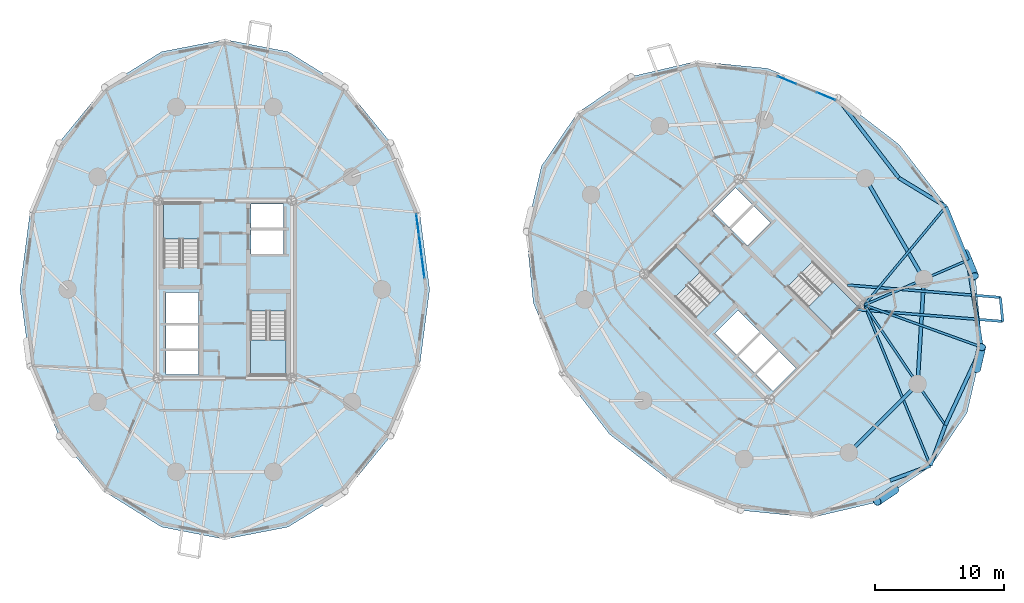
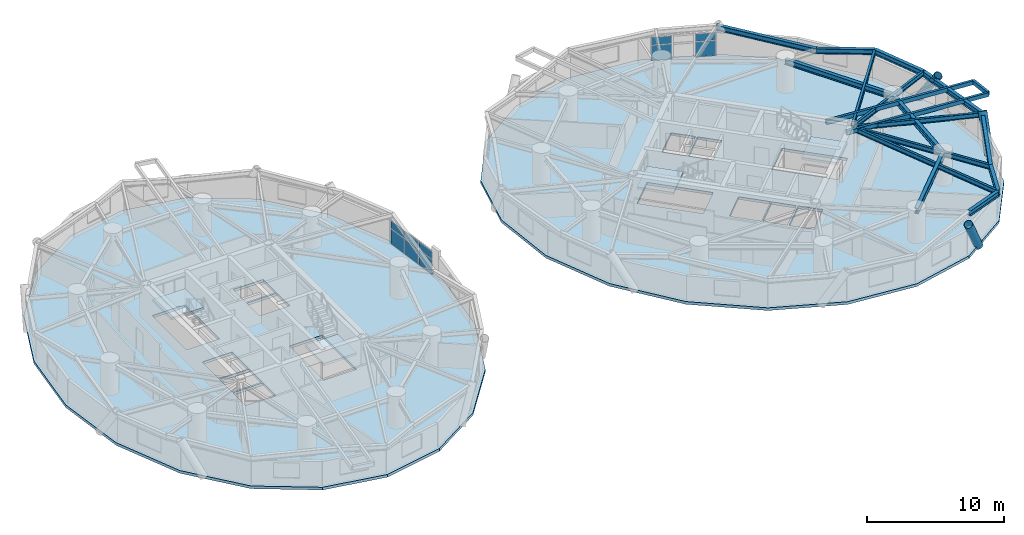
# One storey, part 8 of 17: 18 beams, 10 plates, 6 slabs, 3 members, 6 elements without a shape of their own.
"""IFC4 building model written with IfcOpenShell, lengths in metres."""

from ifc_helpers import new_model, si_unit, direction, frame, origin, origin_2d, place, context, subcontext, project, spatial, polyline, rectangle, hollow_rectangle, hollow_circle, i_section, outline, extrude, source, transform, mapped, material, layer, layer_set, material_profile, profile_set, type_object, element, aggregate, save


model = new_model("IFC4")

# Units and contexts
model_context = context("Model", 3, precision=1e-05, world=origin(), true_north=direction((0.0, 1.0)))
body_context = subcontext(model_context, "Body", "Model", "MODEL_VIEW")
ifc_project = project(units=[si_unit("LENGTHUNIT", "METRE"), si_unit("AREAUNIT", "SQUARE_METRE"), si_unit("VOLUMEUNIT", "CUBIC_METRE"), si_unit("PLANEANGLEUNIT", "RADIAN"), si_unit("MASSUNIT", "GRAM", prefix="KILO")], contexts=[model_context])

# Site, building, storey
site_placement = place(None, origin())
site = spatial("IfcSite", under=ifc_project, at=site_placement, CompositionType="ELEMENT")
building_placement = place(site_placement, origin())
building = spatial("IfcBuilding", under=site, at=building_placement, Name="Cununo Teusaquillo Station Towers", CompositionType="ELEMENT")
storey_placement = place(building_placement, frame((0.0, 0.0, 116.7099609375)))
storey = spatial("IfcBuildingStorey", under=building, at=storey_placement, Name="L37", CompositionType="ELEMENT", Elevation=116.7099609375)

# Beams
ifc_material_1 = material(Name="Steel EN 10025-2 S355J2", Category="steel")
ifc_material_profile_1 = material_profile(ifc_material_1, hollow_rectangle(XDim=0.199951171875, YDim=0.35009765625, WallThickness=0.013916015625, at=origin_2d()), Name="RHS 350x200x14")
ifc_profile_set_1 = profile_set([ifc_material_profile_1], Name="Steel EN 10025-2 S355J2")
beam_type_1 = type_object("IfcBeamType", Name="BM-BAL-CANT", PredefinedType="BEAM", material=ifc_profile_set_1)
beam_1_placement = place(storey_placement, frame((65.349609375, 22.945068359375, 2.4951171875), z_axis=(0.996745262171, -0.080615645749, 0.0), x_axis=(0.080615645749, 0.996745262171, 0.0)))
element("IfcBeam", 1, at=beam_1_placement, inside=storey, type_object=beam_type_1, Name="L37 Tower B Balcony Cantilever Bracket 2A", PredefinedType="BEAM", context=body_context, shape_type="SweptSolid", body=[
    extrude(hollow_rectangle(XDim=0.199951171875, YDim=0.35009765625, WallThickness=0.013916015625, at=origin_2d()), origin(), (0.0, 0.0, 1.0), 11.42626953125),
])
beam_2_placement = place(storey_placement, frame((64.73095703125, 24.835205078125, 2.4951171875), z_axis=(0.996743683159, -0.080635166538, 0.0), x_axis=(0.080635166538, 0.996743683159, 0.0)))
element("IfcBeam", 2, at=beam_2_placement, inside=storey, type_object=beam_type_1, Name="L37 Tower B Balcony Cantilever Bracket 2B", PredefinedType="BEAM", context=body_context, shape_type="SweptSolid", body=[
    extrude(hollow_rectangle(XDim=0.199951171875, YDim=0.35009765625, WallThickness=0.013916015625, at=origin_2d()), origin(), (0.0, 0.0, 1.0), 11.862548828125),
])
ifc_material_2 = material(Name="Steel ASTM A572 Grade 50", Category="steel")
ifc_material_profile_2 = material_profile(ifc_material_2, i_section(OverallWidth=0.180908203125, OverallDepth=0.4169921875, WebThickness=0.010986328125, FlangeThickness=0.018310546875, FilletRadius=0.012939453125, at=origin_2d()), Name="W16X57")
ifc_profile_set_2 = profile_set([ifc_material_profile_2], Name="Steel ASTM A572 Grade 50")
beam_type_2 = type_object("IfcBeamType", Name="BM-JOIST-1", PredefinedType="JOIST", material=ifc_profile_set_2)
beam_3_placement = place(storey_placement, frame((66.024169921875, 23.29443359375, 2.46142578125), z_axis=(0.380485864505, -0.924786735908, 0.0), x_axis=(0.924786735908, 0.380485864505, 0.0)))
element("IfcBeam", 3, at=beam_3_placement, inside=storey, type_object=beam_type_2, Name="L37 Tower B Radial Spandrel Joist V15", PredefinedType="JOIST", context=body_context, shape_type="SweptSolid", body=[
    extrude(i_section(OverallWidth=0.180908203125, OverallDepth=0.4169921875, WebThickness=0.010986328125, FlangeThickness=0.018310546875, FilletRadius=0.012939453125, at=origin_2d()), origin(), (0.0, 0.0, 1.0), 13.44580078125),
])
beam_4_placement = place(storey_placement, frame((66.024169921875, 23.29443359375, 2.46142578125), z_axis=(0.941082771055, -0.338176312038, 0.0), x_axis=(0.338176312038, 0.941082771055, 0.0)))
element("IfcBeam", 4, at=beam_4_placement, inside=storey, type_object=beam_type_2, Name="L37 Tower B Radial Spandrel Joist V17", PredefinedType="JOIST", context=body_context, shape_type="SweptSolid", body=[
    extrude(i_section(OverallWidth=0.180908203125, OverallDepth=0.4169921875, WebThickness=0.010986328125, FlangeThickness=0.018310546875, FilletRadius=0.012939453125, at=origin_2d()), origin(), (0.0, 0.0, 1.0), 9.646484375),
])
beam_5_placement = place(storey_placement, frame((66.024169921875, 23.29443359375, 2.46142578125), z_axis=(0.638372238196, 0.769727799615, 0.0), x_axis=(-0.769727799615, 0.638372238196, 0.0)))
element("IfcBeam", 5, at=beam_5_placement, inside=storey, type_object=beam_type_2, Name="L37 Tower B Radial Spandrel Joist V19", PredefinedType="JOIST", context=body_context, shape_type="SweptSolid", body=[
    extrude(i_section(OverallWidth=0.180908203125, OverallDepth=0.4169921875, WebThickness=0.010986328125, FlangeThickness=0.018310546875, FilletRadius=0.012939453125, at=origin_2d()), origin(), (0.0, 0.0, 1.0), 9.895263671875),
])
ifc_material_3 = material(Name="Steel ASTM A572 Grade 50", Category="steel")
ifc_material_profile_3 = material_profile(ifc_material_3, i_section(OverallWidth=0.180908203125, OverallDepth=0.4169921875, WebThickness=0.010986328125, FlangeThickness=0.018310546875, FilletRadius=0.012939453125, at=origin_2d()), Name="W16X57")
ifc_profile_set_3 = profile_set([ifc_material_profile_3], Name="Steel ASTM A572 Grade 50")
beam_type_3 = type_object("IfcBeamType", Name="BM-RAD-G2", PredefinedType="BEAM", material=ifc_profile_set_3)
beam_6_placement = place(storey_placement, frame((66.024169921875, 23.29443359375, 2.46142578125), z_axis=(0.558572297481, -0.82945583878, 0.0), x_axis=(0.82945583878, 0.558572297481, 0.0)))
element("IfcBeam", 6, at=beam_6_placement, inside=storey, type_object=beam_type_3, Name="L37 Tower B Continuous Overhanging Radial Girder 09", PredefinedType="BEAM", context=body_context, shape_type="SweptSolid", body=[
    extrude(i_section(OverallWidth=0.180908203125, OverallDepth=0.4169921875, WebThickness=0.010986328125, FlangeThickness=0.018310546875, FilletRadius=0.012939453125, at=origin_2d()), origin(), (0.0, 0.0, 1.0), 11.22998046875),
])
beam_7_placement = place(storey_placement, frame((66.024169921875, 23.29443359375, 2.46142578125), z_axis=(0.917654733344, 0.397378648609, 0.0), x_axis=(-0.397378648609, 0.917654733344, 0.0)))
element("IfcBeam", 7, at=beam_7_placement, inside=storey, type_object=beam_type_3, Name="L37 Tower B Continuous Overhanging Radial Girder 10", PredefinedType="BEAM", context=body_context, shape_type="SweptSolid", body=[
    extrude(i_section(OverallWidth=0.180908203125, OverallDepth=0.4169921875, WebThickness=0.010986328125, FlangeThickness=0.018310546875, FilletRadius=0.012939453125, at=origin_2d()), origin(), (0.0, 0.0, 1.0), 8.71484375),
])
ifc_material_4 = material(Name="Steel ASTM A572 Grade 50", Category="steel")
ifc_material_profile_4 = material_profile(ifc_material_4, i_section(OverallWidth=0.280029296875, OverallDepth=0.462890625, WebThickness=0.0107421875, FlangeThickness=0.017333984375, FilletRadius=0.013916015625, at=origin_2d()), Name="W18X76")
ifc_profile_set_4 = profile_set([ifc_material_profile_4], Name="Steel ASTM A572 Grade 50")
beam_type_4 = type_object("IfcBeamType", Name="BM-RING-Z2", PredefinedType="SPANDREL", material=ifc_profile_set_4)
beam_8_placement = place(storey_placement, frame((64.826904296875, 11.853759765625, 2.4384765625), z_axis=(0.707106781187, 0.707106781187, 0.0), x_axis=(-0.707106781187, 0.707106781187, 0.0)))
element("IfcBeam", 8, at=beam_8_placement, inside=storey, type_object=beam_type_4, Name="L37 Tower B Structural Column Ring Girder 08", PredefinedType="SPANDREL", context=body_context, shape_type="SweptSolid", body=[
    extrude(i_section(OverallWidth=0.280029296875, OverallDepth=0.462890625, WebThickness=0.0107421875, FlangeThickness=0.017333984375, FilletRadius=0.013916015625, at=origin_2d()), origin(), (0.0, 0.0, 1.0), 7.522705078125),
])
beam_9_placement = place(storey_placement, frame((70.146240234375, 17.173095703125, 2.4384765625), z_axis=(0.06012979176, 0.998190567048, 0.0), x_axis=(-0.998190567048, 0.06012979176, 0.0)))
element("IfcBeam", 9, at=beam_9_placement, inside=storey, type_object=beam_type_4, Name="L37 Tower B Structural Column Ring Girder 09", PredefinedType="SPANDREL", context=body_context, shape_type="SweptSolid", body=[
    extrude(i_section(OverallWidth=0.280029296875, OverallDepth=0.462890625, WebThickness=0.0107421875, FlangeThickness=0.017333984375, FilletRadius=0.013916015625, at=origin_2d()), origin(), (0.0, 0.0, 1.0), 8.132568359375),
])
beam_10_placement = place(storey_placement, frame((70.63525390625, 25.291015625, 2.4384765625), z_axis=(-0.501311121078, 0.865267103202, 0.0), x_axis=(-0.865267103202, -0.501311121078, 0.0)))
element("IfcBeam", 10, at=beam_10_placement, inside=storey, type_object=beam_type_4, Name="L37 Tower B Structural Column Ring Girder 10", PredefinedType="SPANDREL", context=body_context, shape_type="SweptSolid", body=[
    extrude(i_section(OverallWidth=0.280029296875, OverallDepth=0.462890625, WebThickness=0.0107421875, FlangeThickness=0.017333984375, FilletRadius=0.013916015625, at=origin_2d()), origin(), (0.0, 0.0, 1.0), 9.032958984375),
])
beam_11_placement = place(storey_placement, frame((68.694580078125, 33.12890625, 2.4384765625), z_axis=(-0.610100441726, 0.792324082056, 0.0), x_axis=(-0.792324082056, -0.610100441726, 0.0)))
element("IfcBeam", 11, at=beam_11_placement, inside=storey, type_object=beam_type_4, Name="L37 Tower B Spandrel Ring Beam 01", PredefinedType="SPANDREL", context=body_context, shape_type="SweptSolid", body=[
    extrude(i_section(OverallWidth=0.280029296875, OverallDepth=0.462890625, WebThickness=0.0107421875, FlangeThickness=0.017333984375, FilletRadius=0.013916015625, at=origin_2d()), origin(), (0.0, 0.0, 1.0), 7.84033203125),
])
for number, where, z_axis, x_axis, name in (
    (12, (68.020263671875, 9.703125, 2.4384765625), (0.937628334414, 0.347639333943, 0.0), (-0.347639333943, 0.937628334414, 0.0), "L37 Tower B Spandrel Ring Beam 15"),
    (13, (71.14013671875, 10.85986328125, 2.4384765625), (0.347639333943, 0.937628334414, 0.0), (-0.937628334414, 0.347639333943, 0.0), "L37 Tower B Spandrel Ring Beam 16"),
):
    element("IfcBeam", number, at=place(storey_placement, frame(where, z_axis=z_axis, x_axis=x_axis)), inside=storey, type_object=beam_type_4, Name=name, PredefinedType="SPANDREL", context=body_context, shape_type="SweptSolid", body=[
        extrude(i_section(OverallWidth=0.280029296875, OverallDepth=0.462890625, WebThickness=0.0107421875, FlangeThickness=0.017333984375, FilletRadius=0.013916015625, at=origin_2d()), origin(), (0.0, 0.0, 1.0), 3.327392578125),
    ])
beam_12_placement = place(storey_placement, frame((72.296875, 13.979736328125, 2.4384765625), z_axis=(0.420535961689, 0.907275870354, 0.0), x_axis=(-0.907275870354, 0.420535961689, 0.0)))
element("IfcBeam", 14, at=beam_12_placement, inside=storey, type_object=beam_type_4, Name="L37 Tower B Spandrel Ring Beam 17", PredefinedType="SPANDREL", context=body_context, shape_type="SweptSolid", body=[
    extrude(i_section(OverallWidth=0.280029296875, OverallDepth=0.462890625, WebThickness=0.0107421875, FlangeThickness=0.017333984375, FilletRadius=0.013916015625, at=origin_2d()), origin(), (0.0, 0.0, 1.0), 6.671142578125),
])
beam_13_placement = place(storey_placement, frame((75.102294921875, 20.0322265625, 2.4384765625), z_axis=(-0.158671232312, 0.987331474246, 0.0), x_axis=(-0.987331474246, -0.158671232312, 0.0)))
element("IfcBeam", 15, at=beam_13_placement, inside=storey, type_object=beam_type_4, Name="L37 Tower B Spandrel Ring Beam 18", PredefinedType="SPANDREL", context=body_context, shape_type="SweptSolid", body=[
    extrude(i_section(OverallWidth=0.280029296875, OverallDepth=0.462890625, WebThickness=0.0107421875, FlangeThickness=0.017333984375, FilletRadius=0.013916015625, at=origin_2d()), origin(), (0.0, 0.0, 1.0), 6.8115234375),
])
beam_14_placement = place(storey_placement, frame((74.021484375, 26.757568359375, 2.4384765625), z_axis=(-0.375042266631, 0.927007712072, 0.0), x_axis=(-0.927007712072, -0.375042266631, 0.0)))
element("IfcBeam", 16, at=beam_14_placement, inside=storey, type_object=beam_type_4, Name="L37 Tower B Spandrel Ring Beam 19", PredefinedType="SPANDREL", context=body_context, shape_type="SweptSolid", body=[
    extrude(i_section(OverallWidth=0.280029296875, OverallDepth=0.462890625, WebThickness=0.0107421875, FlangeThickness=0.017333984375, FilletRadius=0.013916015625, at=origin_2d()), origin(), (0.0, 0.0, 1.0), 4.480712890625),
])
beam_15_placement = place(storey_placement, frame((72.341064453125, 30.9111328125, 2.4384765625), z_axis=(-0.854388492444, 0.519634779416, 0.0), x_axis=(-0.519634779416, -0.854388492444, 0.0)))
element("IfcBeam", 17, at=beam_15_placement, inside=storey, type_object=beam_type_4, Name="L37 Tower B Spandrel Ring Beam 20", PredefinedType="SPANDREL", context=body_context, shape_type="SweptSolid", body=[
    extrude(i_section(OverallWidth=0.280029296875, OverallDepth=0.462890625, WebThickness=0.0107421875, FlangeThickness=0.017333984375, FilletRadius=0.013916015625, at=origin_2d()), origin(), (0.0, 0.0, 1.0), 4.26806640625),
])
ifc_material_5 = material(Name="Steel EN 10025-2 S355J2", Category="steel")
ifc_material_profile_5 = material_profile(ifc_material_5, hollow_rectangle(XDim=0.199951171875, YDim=0.35009765625, WallThickness=0.013916015625, at=origin_2d()), Name="RHS 350x200x14")
ifc_profile_set_5 = profile_set([ifc_material_profile_5], Name="Steel EN 10025-2 S355J2")
beam_type_5 = type_object("IfcBeamType", Name="BM-STAIR-TRIM", PredefinedType="BEAM", material=ifc_profile_set_5)
beam_16_placement = place(storey_placement, frame((76.73876953125, 22.02392578125, 2.525146484375), z_axis=(-0.098634743912, 0.995123704518, 0.0), x_axis=(-0.995123704518, -0.098634743912, 0.0)))
element("IfcBeam", 18, at=beam_16_placement, inside=storey, type_object=beam_type_5, Name="L37 Tower B Balcony Edge Trimmer Beam 2", PredefinedType="BEAM", context=body_context, shape_type="SweptSolid", body=[
    extrude(hollow_rectangle(XDim=0.199951171875, YDim=0.35009765625, WallThickness=0.013916015625, at=origin_2d()), origin(), (0.0, 0.0, 1.0), 1.86376953125),
])

# Members
ifc_material_6 = material(Name="Steel EN 10025-2 S355J2", Category="steel")
ifc_material_profile_6 = material_profile(ifc_material_6, hollow_circle(Radius=0.330078125, WallThickness=0.02490234375, at=origin_2d()), Name="CHS 660x25")
ifc_profile_set_6 = profile_set([ifc_material_profile_6], Name="Steel EN 10025-2 S355J2")
member_type = type_object("IfcMemberType", Name="MBR-DIAG-Z2", PredefinedType="BRACE", material=ifc_profile_set_6)
member_1_placement = place(storey_placement, frame((68.393310546875, 9.003173828125, -0.139892578125), z_axis=(-0.410124934173, -0.277231625428, 0.868872927552), x_axis=(0.560024081213, -0.828476329452, 0.0)))
element("IfcMember", 19, at=member_1_placement, inside=storey, type_object=member_type, Name="L37 Tower B Folded-Zigzag Diagrid Tube C14", PredefinedType="BRACE", context=body_context, shape_type="SweptSolid", body=[
    extrude(hollow_circle(Radius=0.330078125, WallThickness=0.02490234375, at=origin_2d()), origin(), (0.0, 0.0, 1.0), 3.34912109375),
])
member_2_placement = place(storey_placement, frame((74.7099609375, 18.348388671875, -0.139892578125), z_axis=(0.115910772147, 0.497471434658, 0.859701613701), x_axis=(-0.973913029911, 0.226921594761, 0.0)))
element("IfcMember", 20, at=member_2_placement, inside=storey, type_object=member_type, Name="L37 Tower B Folded-Zigzag Diagrid Tube C16", PredefinedType="BRACE", context=body_context, shape_type="SweptSolid", body=[
    extrude(hollow_circle(Radius=0.330078125, WallThickness=0.02490234375, at=origin_2d()), origin(), (0.0, 0.0, 1.0), 3.384765625),
])
member_3_placement = place(storey_placement, frame((73.818115234375, 27.318115234375, -0.139892578125), z_axis=(0.211093316399, -0.51346268498, 0.83174255807), x_axis=(0.924888817599, 0.380237656053, 0.0)))
element("IfcMember", 21, at=member_3_placement, inside=storey, type_object=member_type, Name="L37 Tower B Folded-Zigzag Diagrid Tube C18", PredefinedType="BRACE", context=body_context, shape_type="SweptSolid", body=[
    extrude(hollow_circle(Radius=0.330078125, WallThickness=0.02490234375, at=origin_2d()), origin(), (0.0, 0.0, 1.0), 3.49853515625),
])

# Stair, slab
ifc_material_7 = material(Name="Concrete C50/60", Category="concrete")
stair_type = type_object("IfcStairType", Name="ST-TWR-1300", PredefinedType="HALF_TURN_STAIR", material=ifc_material_7)
stair_1_placement = place(storey_placement, origin())
stair_1 = element("IfcStair", 22, at=stair_1_placement, inside=storey, type_object=stair_type, Name="L37 Tower A Protected Core Exit Stair 1", PredefinedType="HALF_TURN_STAIR")
ifc_material_8 = material(Name="Concrete C50/60", Category="concrete")
ifc_layer_1 = layer(ifc_material_8, 0.199951171875)
ifc_layer_set_1 = layer_set([ifc_layer_1], Name="Concrete C50/60")
slab_type_1 = type_object("IfcSlabType", Name="SLB-STAIR-LND", PredefinedType="LANDING", material=ifc_layer_set_1)
slab_1_placement = place(storey_placement, frame((0.0, 0.0, 1.255126953125)))
slab_1 = element("IfcSlab", 23, at=slab_1_placement, type_object=slab_type_1, Name="ST-T1-1 landing 1", PredefinedType="LANDING", context=body_context, shape_type="SweptSolid", body=[
    extrude(outline(polyline([(14.52001953125, 28.409912109375), (14.52001953125, 31.159912109375), (11.760009765625, 31.159912109375), (11.760009765625, 28.409912109375), (14.52001953125, 28.409912109375)])), origin(), (0.0, 0.0, 1.0), 0.199951171875),
])
aggregate(stair_1, [slab_1])

stair_2_placement = place(storey_placement, origin())
stair_2 = element("IfcStair", 24, at=stair_2_placement, inside=storey, type_object=stair_type, Name="L37 Tower A Protected Core Exit Stair 2", PredefinedType="HALF_TURN_STAIR")
slab_2_placement = place(storey_placement, frame((0.0, 0.0, 1.255126953125)))
slab_2 = element("IfcSlab", 25, at=slab_2_placement, type_object=slab_type_1, Name="ST-T1-2 landing 1", PredefinedType="LANDING", context=body_context, shape_type="SweptSolid", body=[
    extrude(outline(polyline([(18.47998046875, 20.590087890625), (18.47998046875, 17.840087890625), (21.239990234375, 17.840087890625), (21.239990234375, 20.590087890625), (18.47998046875, 20.590087890625)])), origin(), (0.0, 0.0, 1.0), 0.199951171875),
])
aggregate(stair_2, [slab_2])

stair_3_placement = place(storey_placement, origin())
stair_3 = element("IfcStair", 26, at=stair_3_placement, inside=storey, type_object=stair_type, Name="L37 Tower B Protected Core Exit Stair 1", PredefinedType="HALF_TURN_STAIR")
slab_3_placement = place(storey_placement, frame((0.0, 0.0, 1.255126953125)))
slab_3 = element("IfcSlab", 27, at=slab_3_placement, type_object=slab_type_1, Name="ST-T2-1 landing 1", PredefinedType="LANDING", context=body_context, shape_type="SweptSolid", body=[
    extrude(outline(polyline([(53.335205078125, 25.86474609375), (51.390625, 27.809326171875), (49.43896484375, 25.857666015625), (51.383544921875, 23.9130859375), (53.335205078125, 25.86474609375)])), origin(), (0.0, 0.0, 1.0), 0.199951171875),
])
aggregate(stair_3, [slab_3])

stair_4_placement = place(storey_placement, origin())
stair_4 = element("IfcStair", 28, at=stair_4_placement, inside=storey, type_object=stair_type, Name="L37 Tower B Protected Core Exit Stair 2", PredefinedType="HALF_TURN_STAIR")
slab_4_placement = place(storey_placement, frame((0.0, 0.0, 1.255126953125)))
slab_4 = element("IfcSlab", 29, at=slab_4_placement, type_object=slab_type_1, Name="ST-T2-2 landing 1", PredefinedType="LANDING", context=body_context, shape_type="SweptSolid", body=[
    extrude(outline(polyline([(61.664794921875, 23.13525390625), (63.609375, 21.190673828125), (65.56103515625, 23.142333984375), (63.616455078125, 25.0869140625), (61.664794921875, 23.13525390625)])), origin(), (0.0, 0.0, 1.0), 0.199951171875),
])
aggregate(stair_4, [slab_4])

# Slabs
ifc_material_9 = material(Name="Concrete C40/50", Category="concrete")
ifc_layer_2 = layer(ifc_material_9, 0.239990234375)
ifc_layer_set_2 = layer_set([ifc_layer_2], Name="Concrete C40/50")
slab_type_2 = type_object("IfcSlabType", Name="SLB-Z2-240", PredefinedType="FLOOR", material=ifc_layer_set_2)
slab_5_placement = place(storey_placement, frame((0.0, 0.0, -0.239990234375)))
element("IfcSlab", 30, at=slab_5_placement, inside=storey, type_object=slab_type_2, Name="L37 Tower A Floor Slab", PredefinedType="FLOOR", context=body_context, shape_type="SweptSolid", body=[
    extrude(outline(polyline([(32.361083984375, 24.5), (31.584716796875, 30.4794921875), (29.331787109375, 35.87353515625), (25.822998046875, 40.154541015625), (21.4013671875, 42.90283203125), (16.5, 43.85009765625), (11.5986328125, 42.90283203125), (7.177001953125, 40.154541015625), (3.668212890625, 35.87353515625), (1.415283203125, 30.4794921875), (0.638916015625, 24.5), (1.415283203125, 18.5205078125), (3.668212890625, 13.12646484375), (7.177001953125, 8.845458984375), (11.5986328125, 6.09716796875), (16.5, 5.14990234375), (21.4013671875, 6.09716796875), (25.822998046875, 8.845458984375), (29.331787109375, 13.12646484375), (31.584716796875, 18.5205078125), (32.361083984375, 24.5)]), holes=[polyline([(14.52001953125, 26.176025390625), (14.52001953125, 31.159912109375), (11.760009765625, 31.159912109375), (11.760009765625, 26.176025390625), (14.52001953125, 26.176025390625)]), polyline([(18.47998046875, 22.823974609375), (18.47998046875, 17.840087890625), (21.239990234375, 17.840087890625), (21.239990234375, 22.823974609375), (18.47998046875, 22.823974609375)]), polyline([(11.949951171875, 21.85009765625), (14.47998046875, 21.85009765625), (14.47998046875, 24.25), (11.949951171875, 24.25), (11.949951171875, 21.85009765625)]), polyline([(11.949951171875, 17.89990234375), (14.47998046875, 17.89990234375), (14.47998046875, 19.75), (11.949951171875, 19.75), (11.949951171875, 17.89990234375)]), polyline([(11.949951171875, 19.89990234375), (14.47998046875, 19.89990234375), (14.47998046875, 21.75), (11.949951171875, 21.75), (11.949951171875, 19.89990234375)]), polyline([(18.52001953125, 27.25), (21.050048828125, 27.25), (21.050048828125, 29.10009765625), (18.52001953125, 29.10009765625), (18.52001953125, 27.25)]), polyline([(18.52001953125, 29.25), (21.050048828125, 29.25), (21.050048828125, 31.10009765625), (18.52001953125, 31.10009765625), (18.52001953125, 29.25)])]), origin(), (0.0, 0.0, 1.0), 0.239990234375),
])
slab_6_placement = place(storey_placement, frame((0.0, 0.0, -0.239990234375)))
element("IfcSlab", 31, at=slab_6_placement, inside=storey, type_object=slab_type_2, Name="L37 Tower B Floor Slab", PredefinedType="FLOOR", context=body_context, shape_type="SweptSolid", body=[
    extrude(outline(polyline([(68.71533203125, 35.71533203125), (63.938232421875, 39.39453125), (58.531005859375, 41.61572265625), (53.02294921875, 42.16162109375), (47.952880859375, 40.978515625), (43.8173828125, 38.1826171875), (41.021484375, 34.047119140625), (39.83837890625, 28.97705078125), (40.38427734375, 23.468994140625), (42.60546875, 18.061767578125), (46.28466796875, 13.28466796875), (51.061767578125, 9.60546875), (56.468994140625, 7.38427734375), (61.97705078125, 6.83837890625), (67.047119140625, 8.021484375), (71.1826171875, 10.8173828125), (73.978515625, 14.952880859375), (75.16162109375, 20.02294921875), (74.61572265625, 25.531005859375), (72.39453125, 30.938232421875), (68.71533203125, 35.71533203125)]), holes=[polyline([(54.914794921875, 24.28515625), (51.390625, 27.809326171875), (49.43896484375, 25.857666015625), (52.963134765625, 22.33349609375), (54.914794921875, 24.28515625)]), polyline([(60.085205078125, 24.71484375), (63.609375, 21.190673828125), (65.56103515625, 23.142333984375), (62.036865234375, 26.66650390625), (60.085205078125, 24.71484375)]), polyline([(56.156494140625, 19.40869140625), (57.945556640625, 21.19775390625), (56.248291015625, 22.89501953125), (54.45947265625, 21.10595703125), (56.156494140625, 19.40869140625)]), polyline([(58.94970703125, 16.61572265625), (60.738525390625, 18.40478515625), (59.430419921875, 19.712890625), (57.641357421875, 17.923828125), (58.94970703125, 16.61572265625)]), polyline([(57.535400390625, 18.030029296875), (59.32421875, 19.819091796875), (58.01611328125, 21.127197265625), (56.227294921875, 19.338134765625), (57.535400390625, 18.030029296875)]), polyline([(56.98388671875, 27.872802734375), (58.772705078125, 29.661865234375), (57.464599609375, 30.969970703125), (55.67578125, 29.180908203125), (56.98388671875, 27.872802734375)]), polyline([(55.569580078125, 29.287109375), (57.358642578125, 31.076171875), (56.05029296875, 32.38427734375), (54.261474609375, 30.59521484375), (55.569580078125, 29.287109375)])]), origin(), (0.0, 0.0, 1.0), 0.239990234375),
])

# Curtain wall, plates
ifc_material_10 = material(Name="Ceramic-fritted dark low-E double glazing", Category="glass")
ifc_layer_3 = layer(ifc_material_10, 0.179931640625)
ifc_layer_set_3 = layer_set([ifc_layer_3], Name="Ceramic-fritted dark low-E double glazing")
curtain_wall_type = type_object("IfcCurtainWallType", Name="CW-SYS-04", PredefinedType="USERDEFINED", material=ifc_layer_set_3)
curtain_wall_1_placement = place(storey_placement, origin())
curtain_wall_1 = element("IfcCurtainWall", 32, at=curtain_wall_1_placement, inside=storey, type_object=curtain_wall_type, Name="L37 Tower A Facade Curtain Wall C00", ObjectType="FRITTED GLAZING", PredefinedType="USERDEFINED")
ifc_material_11 = material(Name="Ceramic-fritted dark low-E double glazing", Category="glass")
ifc_layer_4 = layer(ifc_material_11, 0.028076171875)
ifc_layer_set_4 = layer_set([ifc_layer_4], Name="Ceramic-fritted dark low-E double glazing")
plate_type = type_object("IfcPlateType", Name="CWP-FRIT-28", PredefinedType="CURTAIN_PANEL", material=ifc_layer_set_4)
shared_shape_1 = source(origin(), body_context, "Body", "SweptSolid", [
    extrude(rectangle(XDim=1.59228515625, YDim=0.028076171875, at=origin_2d()), origin(), (0.0, 0.0, 1.0), 1.31103515625),
])
plate_1_placement = place(storey_placement, frame((31.429443359375, 29.533935546875, 0.070068359375), z_axis=(0.0, 0.0, 1.0), x_axis=(0.128335852387, -0.991730764367, 0.0)))
plate_1 = element("IfcPlate", 33, at=plate_1_placement, type_object=plate_type, Name="CW-04 panel 1.1", PredefinedType="CURTAIN_PANEL", context=body_context, shape_type="MappedRepresentation", body=[
    mapped(shared_shape_1, transform((0.0, 0.0, 0.0), x_axis=(1.0, 0.0, 0.0), y_axis=(0.0, 1.0, 0.0), z_axis=(0.0, 0.0, 1.0), scale=1.0)),
])
plate_2_placement = place(storey_placement, frame((31.86083984375, 26.201904296875, 0.070068359375), z_axis=(0.0, 0.0, 1.0), x_axis=(0.128335852387, -0.991730764367, 0.0)))
plate_2 = element("IfcPlate", 34, at=plate_2_placement, type_object=plate_type, Name="CW-04 panel 3.1", PredefinedType="CURTAIN_PANEL", context=body_context, shape_type="MappedRepresentation", body=[
    mapped(shared_shape_1, transform((0.0, 0.0, 0.0), x_axis=(1.0, 0.0, 0.0), y_axis=(0.0, 1.0, 0.0), z_axis=(0.0, 0.0, 1.0), scale=1.0)),
])
shared_shape_2 = source(origin(), body_context, "Body", "SweptSolid", [
    extrude(rectangle(XDim=1.59228515625, YDim=0.028076171875, at=origin_2d()), origin(), (0.0, 0.0, 1.0), 0.657958984375),
])
plate_3_placement = place(storey_placement, frame((31.429443359375, 29.533935546875, 1.451171875), z_axis=(0.0, 0.0, 1.0), x_axis=(0.128335852387, -0.991730764367, 0.0)))
plate_3 = element("IfcPlate", 35, at=plate_3_placement, type_object=plate_type, Name="CW-04 panel 1.2", PredefinedType="CURTAIN_PANEL", context=body_context, shape_type="MappedRepresentation", body=[
    mapped(shared_shape_2, transform((0.0, 0.0, 0.0), x_axis=(1.0, 0.0, 0.0), y_axis=(0.0, 1.0, 0.0), z_axis=(0.0, 0.0, 1.0), scale=1.0)),
])
plate_4_placement = place(storey_placement, frame((31.86083984375, 26.201904296875, 1.451171875), z_axis=(0.0, 0.0, 1.0), x_axis=(0.128335852387, -0.991730764367, 0.0)))
plate_4 = element("IfcPlate", 36, at=plate_4_placement, type_object=plate_type, Name="CW-04 panel 3.2", PredefinedType="CURTAIN_PANEL", context=body_context, shape_type="MappedRepresentation", body=[
    mapped(shared_shape_2, transform((0.0, 0.0, 0.0), x_axis=(1.0, 0.0, 0.0), y_axis=(0.0, 1.0, 0.0), z_axis=(0.0, 0.0, 1.0), scale=1.0)),
])
shared_shape_3 = source(origin(), body_context, "Body", "SweptSolid", [
    extrude(rectangle(XDim=1.62744140625, YDim=0.028076171875, at=origin_2d()), origin(), (0.0, 0.0, 1.0), 1.31103515625),
])
plate_5_placement = place(storey_placement, frame((31.645263671875, 27.867919921875, 0.070068359375), z_axis=(0.0, 0.0, 1.0), x_axis=(0.128335852387, -0.991730764367, 0.0)))
plate_5 = element("IfcPlate", 37, at=plate_5_placement, type_object=plate_type, Name="CW-04 panel 2.1", PredefinedType="CURTAIN_PANEL", context=body_context, shape_type="MappedRepresentation", body=[
    mapped(shared_shape_3, transform((0.0, 0.0, 0.0), x_axis=(1.0, 0.0, 0.0), y_axis=(0.0, 1.0, 0.0), z_axis=(0.0, 0.0, 1.0), scale=1.0)),
])
shared_shape_4 = source(origin(), body_context, "Body", "SweptSolid", [
    extrude(rectangle(XDim=1.62744140625, YDim=0.028076171875, at=origin_2d()), origin(), (0.0, 0.0, 1.0), 0.657958984375),
])
plate_6_placement = place(storey_placement, frame((31.645263671875, 27.867919921875, 1.451171875), z_axis=(0.0, 0.0, 1.0), x_axis=(0.128335852387, -0.991730764367, 0.0)))
plate_6 = element("IfcPlate", 38, at=plate_6_placement, type_object=plate_type, Name="CW-04 panel 2.2", PredefinedType="CURTAIN_PANEL", context=body_context, shape_type="MappedRepresentation", body=[
    mapped(shared_shape_4, transform((0.0, 0.0, 0.0), x_axis=(1.0, 0.0, 0.0), y_axis=(0.0, 1.0, 0.0), z_axis=(0.0, 0.0, 1.0), scale=1.0)),
])
aggregate(curtain_wall_1, [plate_1, plate_3, plate_5, plate_6, plate_2, plate_4])

curtain_wall_2_placement = place(storey_placement, origin())
curtain_wall_2 = element("IfcCurtainWall", 39, at=curtain_wall_2_placement, inside=storey, type_object=curtain_wall_type, Name="L37 Tower B Facade Curtain Wall C01", ObjectType="FRITTED GLAZING", PredefinedType="USERDEFINED")
shared_shape_5 = source(origin(), body_context, "Body", "SweptSolid", [
    extrude(rectangle(XDim=1.531005859375, YDim=0.028076171875, at=origin_2d()), origin(), (0.0, 0.0, 1.0), 1.31103515625),
])
plate_7_placement = place(storey_placement, frame((60.045654296875, 40.697021484375, 0.070068359375), z_axis=(0.0, 0.0, 1.0), x_axis=(0.924562443652, -0.381030560176, 0.0)))
plate_7 = element("IfcPlate", 40, at=plate_7_placement, type_object=plate_type, Name="CW-04 panel 1.1", PredefinedType="CURTAIN_PANEL", context=body_context, shape_type="MappedRepresentation", body=[
    mapped(shared_shape_5, transform((0.0, 0.0, 0.0), x_axis=(1.0, 0.0, 0.0), y_axis=(0.0, 1.0, 0.0), z_axis=(0.0, 0.0, 1.0), scale=1.0)),
])
plate_8_placement = place(storey_placement, frame((63.03857421875, 39.463623046875, 0.070068359375), z_axis=(0.0, 0.0, 1.0), x_axis=(0.924562443652, -0.381030560176, 0.0)))
plate_8 = element("IfcPlate", 41, at=plate_8_placement, type_object=plate_type, Name="CW-04 panel 3.1", PredefinedType="CURTAIN_PANEL", context=body_context, shape_type="MappedRepresentation", body=[
    mapped(shared_shape_5, transform((0.0, 0.0, 0.0), x_axis=(1.0, 0.0, 0.0), y_axis=(0.0, 1.0, 0.0), z_axis=(0.0, 0.0, 1.0), scale=1.0)),
])
shared_shape_6 = source(origin(), body_context, "Body", "SweptSolid", [
    extrude(rectangle(XDim=1.531005859375, YDim=0.028076171875, at=origin_2d()), origin(), (0.0, 0.0, 1.0), 0.657958984375),
])
plate_9_placement = place(storey_placement, frame((60.045654296875, 40.697021484375, 1.451171875), z_axis=(0.0, 0.0, 1.0), x_axis=(0.924562443652, -0.381030560176, 0.0)))
plate_9 = element("IfcPlate", 42, at=plate_9_placement, type_object=plate_type, Name="CW-04 panel 1.2", PredefinedType="CURTAIN_PANEL", context=body_context, shape_type="MappedRepresentation", body=[
    mapped(shared_shape_6, transform((0.0, 0.0, 0.0), x_axis=(1.0, 0.0, 0.0), y_axis=(0.0, 1.0, 0.0), z_axis=(0.0, 0.0, 1.0), scale=1.0)),
])
plate_10_placement = place(storey_placement, frame((63.03857421875, 39.463623046875, 1.451171875), z_axis=(0.0, 0.0, 1.0), x_axis=(0.924562443652, -0.381030560176, 0.0)))
plate_10 = element("IfcPlate", 43, at=plate_10_placement, type_object=plate_type, Name="CW-04 panel 3.2", PredefinedType="CURTAIN_PANEL", context=body_context, shape_type="MappedRepresentation", body=[
    mapped(shared_shape_6, transform((0.0, 0.0, 0.0), x_axis=(1.0, 0.0, 0.0), y_axis=(0.0, 1.0, 0.0), z_axis=(0.0, 0.0, 1.0), scale=1.0)),
])
aggregate(curtain_wall_2, [plate_7, plate_9, plate_8, plate_10])

save(model, "model.ifc")
